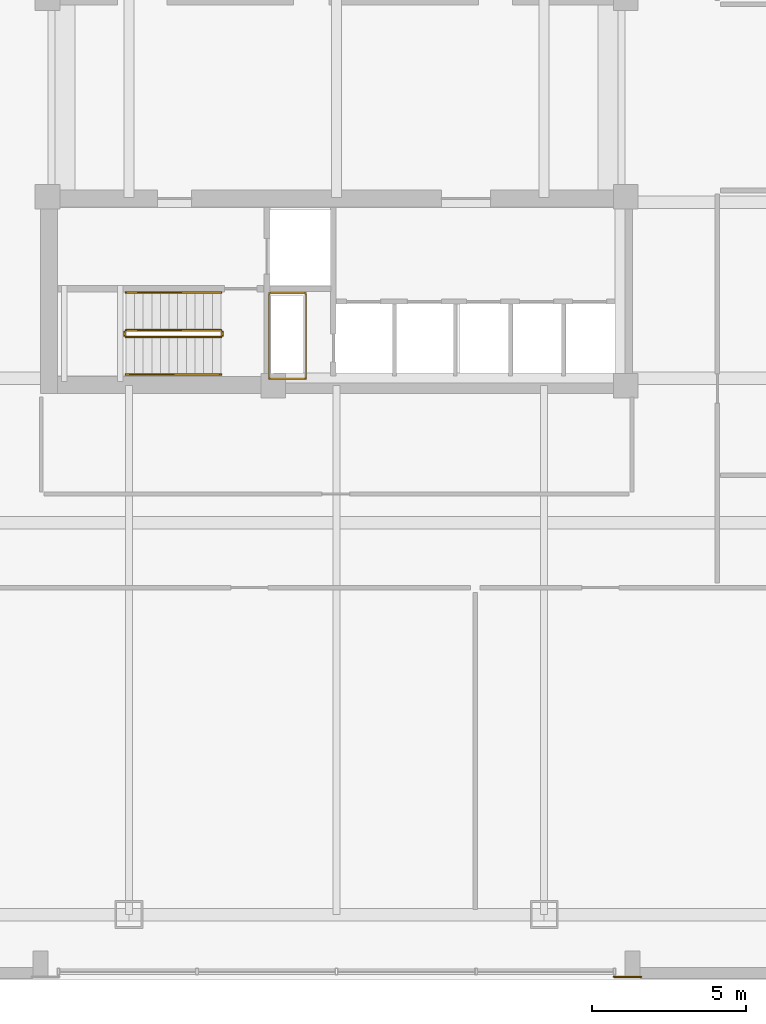
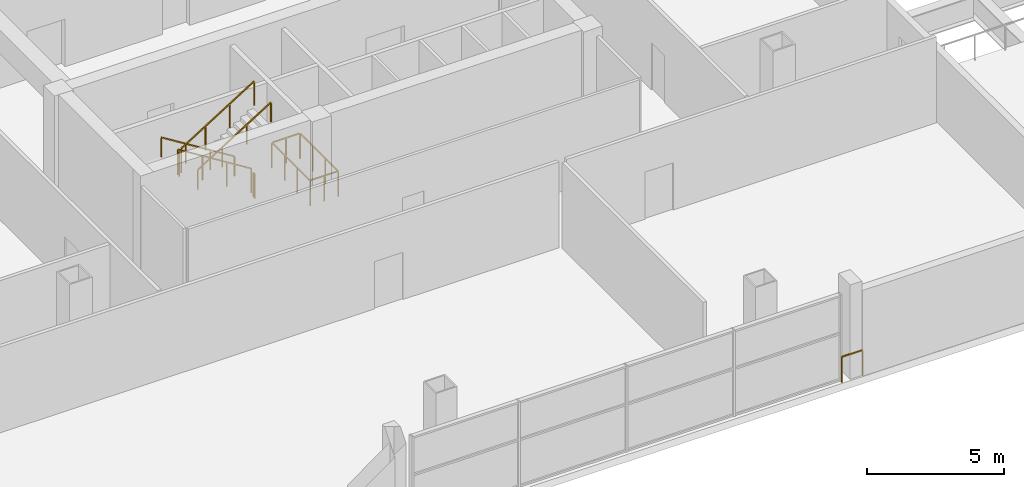
# One storey, part 18 of 21: 8 railings.
"""IFC4 building model written with IfcOpenShell, lengths in metres."""

from ifc_helpers import new_model, si_unit, direction, frame, origin, origin_2d, place, context, subcontext, project, spatial, rectangle, extrude, material, type_object, element, save


model = new_model("IFC4")

# Units and contexts
model_context = context("Model", 3, precision=1e-05, world=origin(), true_north=direction((0.0, 1.0)))
body_context = subcontext(model_context, "Body", "Model", "MODEL_VIEW")
ifc_project = project(units=[si_unit("LENGTHUNIT", "METRE"), si_unit("AREAUNIT", "SQUARE_METRE"), si_unit("VOLUMEUNIT", "CUBIC_METRE"), si_unit("PLANEANGLEUNIT", "RADIAN"), si_unit("MASSUNIT", "GRAM", prefix="KILO")], contexts=[model_context])

# Site, building, storey
site_placement = place(None, origin())
site = spatial("IfcSite", under=ifc_project, at=site_placement, CompositionType="ELEMENT")
building_placement = place(site_placement, origin())
building = spatial("IfcBuilding", under=site, at=building_placement, Name="Qhalaya Broadcast Tower", CompositionType="ELEMENT")
storey_placement = place(building_placement, frame((0.0, 0.0, 17.699951171875)))
storey = spatial("IfcBuildingStorey", under=building, at=storey_placement, Name="L04", CompositionType="ELEMENT", Elevation=17.699951171875)

# Railings
ifc_material = material(Name="Powder-Coated Galvanised Steel", Category="steel")
railing_type_1 = type_object("IfcRailingType", Name="Stair Wall Handrail 900", PredefinedType="HANDRAIL", material=ifc_material)
railing_1_placement = place(storey_placement, frame((-3.75, -5.72998046875, 0.175048828125)))
element("IfcRailing", 1, at=railing_1_placement, inside=storey, type_object=railing_type_1, Name="L04 ST-2 Stair Handrail 1", PredefinedType="HANDRAIL", context=body_context, shape_type="SweptSolid", body=[
    extrude(rectangle(XDim=0.048095703125, YDim=0.048095703125, at=origin_2d()), frame((0.0, 0.0, 0.8759765625), z_axis=(-0.847998304005, 0.0, 0.529998940003), x_axis=(0.0, -1.0, 0.0)), (0.0, 0.0, 1.0), 3.632080078125),
    extrude(rectangle(XDim=0.0419921875, YDim=0.0419921875, at=origin_2d()), origin(), (0.0, 0.0, 1.0), 0.849853515625),
    extrude(rectangle(XDim=0.0419921875, YDim=0.0419921875, at=origin_2d()), frame((-1.026611328125, 0.0, 0.6416015625)), (0.0, 0.0, 1.0), 0.849853515625),
    extrude(rectangle(XDim=0.0419921875, YDim=0.0419921875, at=origin_2d()), frame((-2.053466796875, 0.0, 1.283447265625)), (0.0, 0.0, 1.0), 0.849853515625),
    extrude(rectangle(XDim=0.0419921875, YDim=0.0419921875, at=origin_2d()), frame((-3.080078125, 0.0, 1.925048828125)), (0.0, 0.0, 1.0), 0.849853515625),
])
railing_2_placement = place(storey_placement, frame((-6.830078125, -8.389892578125, 2.275146484375)))
element("IfcRailing", 2, at=railing_2_placement, inside=storey, type_object=railing_type_1, Name="L04 ST-2 Stair Handrail 2", PredefinedType="HANDRAIL", context=body_context, shape_type="SweptSolid", body=[
    extrude(rectangle(XDim=0.048095703125, YDim=0.048095703125, at=origin_2d()), frame((0.0, 0.0, 0.8759765625), z_axis=(0.848028513186, 0.0, 0.529950602248), x_axis=(0.0, 1.0, 0.0)), (0.0, 0.0, 1.0), 3.632080078125),
    extrude(rectangle(XDim=0.0419921875, YDim=0.0419921875, at=origin_2d()), origin(), (0.0, 0.0, 1.0), 0.849853515625),
    extrude(rectangle(XDim=0.0419921875, YDim=0.0419921875, at=origin_2d()), frame((1.026611328125, 0.0, 0.6416015625)), (0.0, 0.0, 1.0), 0.849853515625),
    extrude(rectangle(XDim=0.0419921875, YDim=0.0419921875, at=origin_2d()), frame((2.053466796875, 0.0, 1.283203125)), (0.0, 0.0, 1.0), 0.849853515625),
    extrude(rectangle(XDim=0.0419921875, YDim=0.0419921875, at=origin_2d()), frame((3.080078125, 0.0, 1.9248046875)), (0.0, 0.0, 1.0), 0.849853515625),
])
railing_type_2 = type_object("IfcRailingType", Name="Stair Well & Landing Guardrail 1100", PredefinedType="GUARDRAIL", material=ifc_material)
railing_3_placement = place(storey_placement, frame((-1.0, -8.52001953125, 0.0)))
element("IfcRailing", 3, at=railing_3_placement, inside=storey, type_object=railing_type_2, Name="L04 Service Riser Opening Safety Guard SRSR", PredefinedType="GUARDRAIL", context=body_context, shape_type="SweptSolid", body=[
    extrude(rectangle(XDim=0.048095703125, YDim=0.048095703125, at=origin_2d()), frame((0.0, 0.02880859375, 1.1259765625), z_axis=(0.0, 1.0, 0.0), x_axis=(-1.0, 0.0, 0.0)), (0.0, 0.0, 1.0), 2.722412109375),
    extrude(rectangle(XDim=0.048095703125, YDim=0.048095703125, at=origin_2d()), frame((-0.02880859375, 2.780029296875, 1.1259765625), z_axis=(-1.0, 0.0, 0.0), x_axis=(0.0, -1.0, 0.0)), (0.0, 0.0, 1.0), 1.122314453125),
    extrude(rectangle(XDim=0.048095703125, YDim=0.048095703125, at=origin_2d()), frame((-1.179931640625, 2.751220703125, 1.1259765625), z_axis=(0.0, -1.0, 0.0), x_axis=(1.0, 0.0, 0.0)), (0.0, 0.0, 1.0), 2.722412109375),
    extrude(rectangle(XDim=0.048095703125, YDim=0.048095703125, at=origin_2d()), frame((-1.151123046875, 0.0, 1.1259765625), z_axis=(1.0, 0.0, 0.0), x_axis=(0.0, 1.0, 0.0)), (0.0, 0.0, 1.0), 1.122314453125),
    extrude(rectangle(XDim=0.0419921875, YDim=0.0419921875, at=origin_2d()), origin(), (0.0, 0.0, 1.0), 1.099853515625),
    extrude(rectangle(XDim=0.0419921875, YDim=0.0419921875, at=origin_2d()), frame((0.0, 0.9267578125, 0.0)), (0.0, 0.0, 1.0), 1.099853515625),
    extrude(rectangle(XDim=0.0419921875, YDim=0.0419921875, at=origin_2d()), frame((0.0, 1.853271484375, 0.0)), (0.0, 0.0, 1.0), 1.099853515625),
    extrude(rectangle(XDim=0.0419921875, YDim=0.0419921875, at=origin_2d()), frame((0.0, 2.780029296875, 0.0)), (0.0, 0.0, 1.0), 1.099853515625),
    extrude(rectangle(XDim=0.0419921875, YDim=0.0419921875, at=origin_2d()), frame((-0.58984375, 2.780029296875, 0.0)), (0.0, 0.0, 1.0), 1.099853515625),
    extrude(rectangle(XDim=0.0419921875, YDim=0.0419921875, at=origin_2d()), frame((-1.179931640625, 2.780029296875, 0.0)), (0.0, 0.0, 1.0), 1.099853515625),
    extrude(rectangle(XDim=0.0419921875, YDim=0.0419921875, at=origin_2d()), frame((-1.179931640625, 1.853271484375, 0.0)), (0.0, 0.0, 1.0), 1.099853515625),
    extrude(rectangle(XDim=0.0419921875, YDim=0.0419921875, at=origin_2d()), frame((-1.179931640625, 0.9267578125, 0.0)), (0.0, 0.0, 1.0), 1.099853515625),
    extrude(rectangle(XDim=0.0419921875, YDim=0.0419921875, at=origin_2d()), frame((-1.179931640625, 0.0, 0.0)), (0.0, 0.0, 1.0), 1.099853515625),
    extrude(rectangle(XDim=0.0419921875, YDim=0.0419921875, at=origin_2d()), frame((-0.58984375, 0.0, 0.0)), (0.0, 0.0, 1.0), 1.099853515625),
])
railing_4_placement = place(storey_placement, frame((-3.75, -6.949951171875, 0.175048828125)))
element("IfcRailing", 4, at=railing_4_placement, inside=storey, type_object=railing_type_2, Name="L04 ST-2 Stair Guard 1", PredefinedType="GUARDRAIL", context=body_context, shape_type="SweptSolid", body=[
    extrude(rectangle(XDim=0.048095703125, YDim=0.048095703125, at=origin_2d()), frame((0.0, 0.0, 1.076171875), z_axis=(-0.847998304005, 0.0, 0.529998940003), x_axis=(0.0, -1.0, 0.0)), (0.0, 0.0, 1.0), 3.632080078125),
    extrude(rectangle(XDim=0.0419921875, YDim=0.0419921875, at=origin_2d()), origin(), (0.0, 0.0, 1.0), 1.050048828125),
    extrude(rectangle(XDim=0.0419921875, YDim=0.0419921875, at=origin_2d()), frame((-1.026611328125, 0.0, 0.6416015625)), (0.0, 0.0, 1.0), 1.050048828125),
    extrude(rectangle(XDim=0.0419921875, YDim=0.0419921875, at=origin_2d()), frame((-2.053466796875, 0.0, 1.283447265625)), (0.0, 0.0, 1.0), 1.050048828125),
    extrude(rectangle(XDim=0.0419921875, YDim=0.0419921875, at=origin_2d()), frame((-3.080078125, 0.0, 1.925048828125)), (0.0, 0.0, 1.0), 1.050048828125),
])
railing_5_placement = place(storey_placement, frame((-6.8798828125, -7.0, 2.10009765625)))
element("IfcRailing", 5, at=railing_5_placement, inside=storey, type_object=railing_type_2, Name="L04 ST-2 Stair Guard 2", PredefinedType="GUARDRAIL", context=body_context, shape_type="SweptSolid", body=[
    extrude(rectangle(XDim=0.048095703125, YDim=0.048095703125, at=origin_2d()), frame((0.0, 0.0, 1.076171875), z_axis=(0.0, -1.0, 0.0), x_axis=(1.0, 0.0, 0.0)), (0.0, 0.0, 1.0), 0.1201171875),
    extrude(rectangle(XDim=0.0419921875, YDim=0.0419921875, at=origin_2d()), origin(), (0.0, 0.0, 1.0), 1.050048828125),
    extrude(rectangle(XDim=0.0419921875, YDim=0.0419921875, at=origin_2d()), frame((0.0, -0.1201171875, 0.0)), (0.0, 0.0, 1.0), 1.050048828125),
])
railing_6_placement = place(storey_placement, frame((-6.830078125, -7.169921875, 2.275146484375)))
element("IfcRailing", 6, at=railing_6_placement, inside=storey, type_object=railing_type_2, Name="L04 ST-2 Stair Guard 3", PredefinedType="GUARDRAIL", context=body_context, shape_type="SweptSolid", body=[
    extrude(rectangle(XDim=0.048095703125, YDim=0.048095703125, at=origin_2d()), frame((0.0, 0.0, 1.076171875), z_axis=(0.848028513186, 0.0, 0.529950602248), x_axis=(0.0, 1.0, 0.0)), (0.0, 0.0, 1.0), 3.632080078125),
    extrude(rectangle(XDim=0.0419921875, YDim=0.0419921875, at=origin_2d()), origin(), (0.0, 0.0, 1.0), 1.050048828125),
    extrude(rectangle(XDim=0.0419921875, YDim=0.0419921875, at=origin_2d()), frame((1.026611328125, 0.0, 0.6416015625)), (0.0, 0.0, 1.0), 1.050048828125),
    extrude(rectangle(XDim=0.0419921875, YDim=0.0419921875, at=origin_2d()), frame((2.053466796875, 0.0, 1.283203125)), (0.0, 0.0, 1.0), 1.050048828125),
    extrude(rectangle(XDim=0.0419921875, YDim=0.0419921875, at=origin_2d()), frame((3.080078125, 0.0, 1.9248046875)), (0.0, 0.0, 1.0), 1.050048828125),
])
railing_7_placement = place(storey_placement, frame((-3.699951171875, -7.0, 0.0)))
element("IfcRailing", 7, at=railing_7_placement, inside=storey, type_object=railing_type_2, Name="L04 ST-2 Stair Guard 4", PredefinedType="GUARDRAIL", context=body_context, shape_type="SweptSolid", body=[
    extrude(rectangle(XDim=0.048095703125, YDim=0.048095703125, at=origin_2d()), frame((0.0, 0.0, 1.076171875), z_axis=(0.0, -1.0, 0.0), x_axis=(1.0, 0.0, 0.0)), (0.0, 0.0, 1.0), 0.1201171875),
    extrude(rectangle(XDim=0.0419921875, YDim=0.0419921875, at=origin_2d()), origin(), (0.0, 0.0, 1.0), 1.050048828125),
    extrude(rectangle(XDim=0.0419921875, YDim=0.0419921875, at=origin_2d()), frame((0.0, -0.1201171875, 0.0)), (0.0, 0.0, 1.0), 1.050048828125),
])
railing_type_3 = type_object("IfcRailingType", Name="Terrace, Sky-Pool & Lookout Glass Balustrade 1150", PredefinedType="BALUSTRADE", material=ifc_material)
railing_8_placement = place(storey_placement, frame((9.0, -27.919921875, 0.0)))
element("IfcRailing", 8, at=railing_8_placement, inside=storey, type_object=railing_type_3, Name="L04 Concourse Portal Shoulder Safety Balustrade PSE", PredefinedType="BALUSTRADE", context=body_context, shape_type="SweptSolid", body=[
    extrude(rectangle(XDim=0.048095703125, YDim=0.048095703125, at=origin_2d()), frame((0.0, 0.0, 1.1259765625), z_axis=(1.0, 0.0, 0.0), x_axis=(0.0, 1.0, 0.0)), (0.0, 0.0, 1.0), 0.8798828125),
    extrude(rectangle(XDim=0.0419921875, YDim=0.0419921875, at=origin_2d()), origin(), (0.0, 0.0, 1.0), 1.099853515625),
    extrude(rectangle(XDim=0.0419921875, YDim=0.0419921875, at=origin_2d()), frame((0.8798828125, 0.0, 0.0)), (0.0, 0.0, 1.0), 1.099853515625),
])

save(model, "model.ifc")
